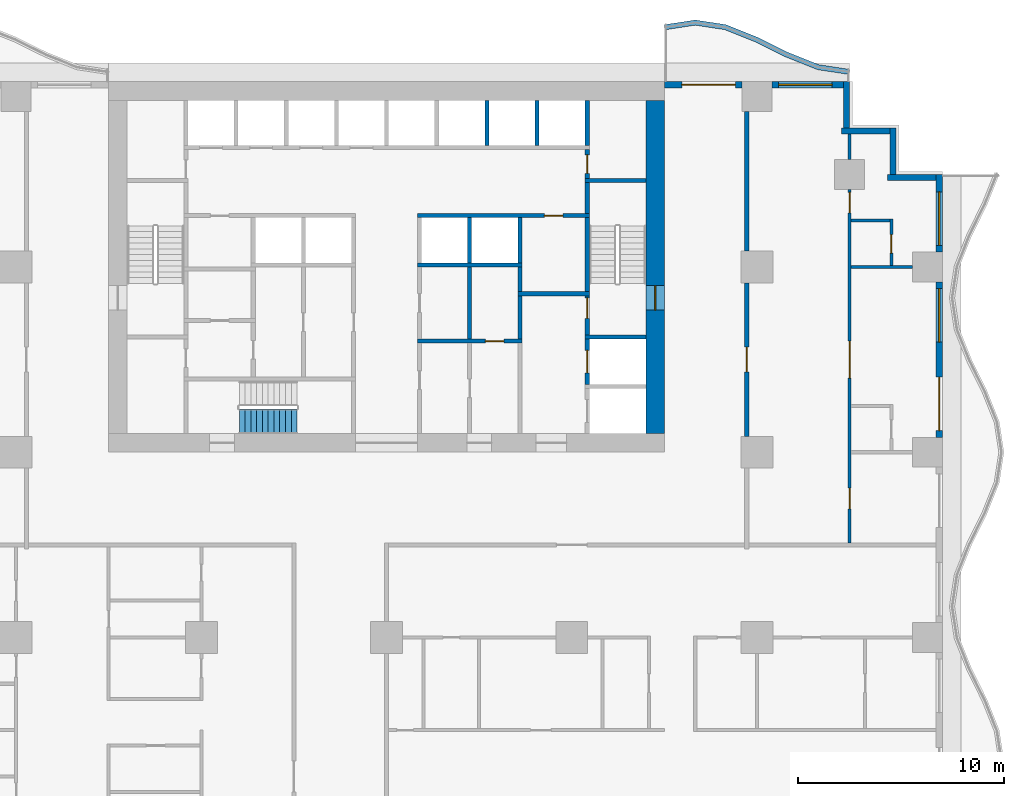
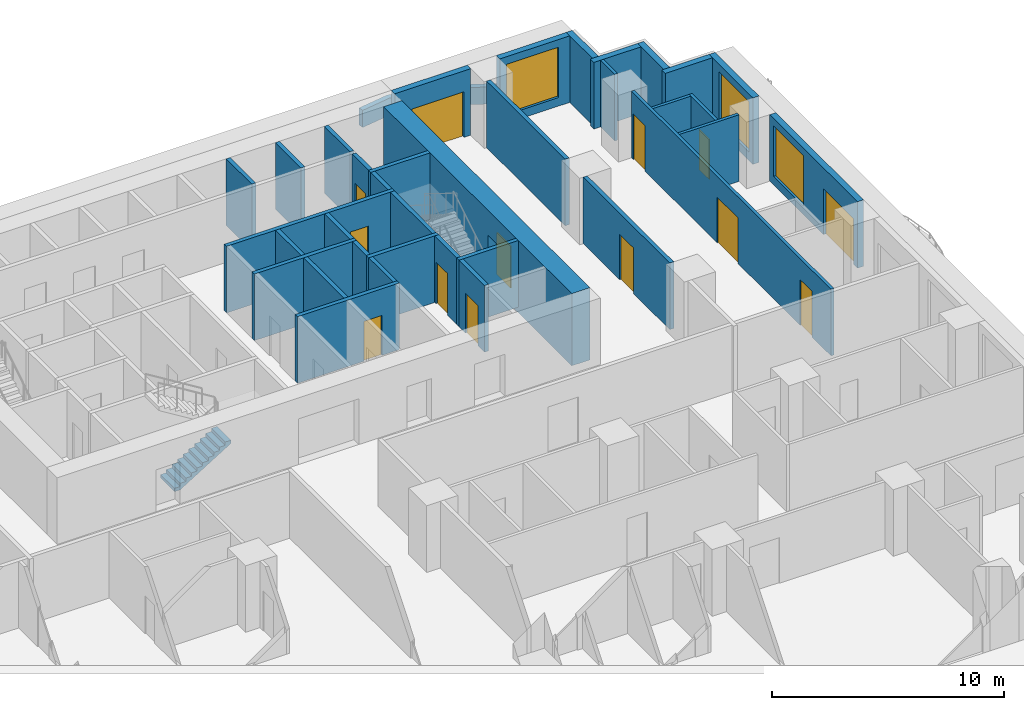
# One storey, part 6 of 14: 36 walls, 13 doors, 3 windows, 1 stair flight, 16 openings, 1 element without a shape of its own.
"""IFC4 building model written with IfcOpenShell, lengths in metres."""

from ifc_helpers import new_model, si_unit, direction, frame, frame_2d, origin, place, context, subcontext, project, spatial, polyline, rectangle, outline, extrude, material, layer, layer_set, type_object, element, fill, aggregate, save


model = new_model("IFC4")

# Units and contexts
model_context = context("Model", 3, precision=1e-05, world=origin(), true_north=direction((0.0, 1.0)))
body_context = subcontext(model_context, "Body", "Model", "MODEL_VIEW")
ifc_project = project(units=[si_unit("LENGTHUNIT", "METRE"), si_unit("AREAUNIT", "SQUARE_METRE"), si_unit("VOLUMEUNIT", "CUBIC_METRE"), si_unit("PLANEANGLEUNIT", "RADIAN"), si_unit("MASSUNIT", "GRAM", prefix="KILO")], contexts=[model_context])

# Site, building, storey
site_placement = place(None, origin())
site = spatial("IfcSite", under=ifc_project, at=site_placement, CompositionType="ELEMENT")
building_placement = place(site_placement, origin())
building = spatial("IfcBuilding", under=site, at=building_placement, Name="Orbiselva Terraces", CompositionType="ELEMENT")
storey_placement = place(building_placement, frame((0.0, 0.0, 37.8)))
storey = spatial("IfcBuildingStorey", under=building, at=storey_placement, Name="L09", CompositionType="ELEMENT", Elevation=37.8)

# Wall, opening, door
ifc_material_1 = material(Name="Concrete C80/95", Category="concrete")
ifc_layer_1 = layer(ifc_material_1, 0.9)
ifc_layer_set_1 = layer_set([ifc_layer_1], Name="Concrete C80/95")
wall_type_1 = type_object("IfcWallType", Name="CORE WALL 900", PredefinedType="SHEAR", material=ifc_layer_set_1)
wall_1_placement = place(storey_placement, frame((13.05, 5.4, -0.3), z_axis=(0.0, 0.0, 1.0), x_axis=(0.0, 1.0, 0.0)))
wall_1 = element("IfcWall", 1, at=wall_1_placement, inside=storey, type_object=wall_type_1, Name="Core wall L09 east", PredefinedType="SHEAR", context=body_context, shape_type="SweptSolid", body=[
    extrude(rectangle(XDim=16.2, YDim=0.9, at=frame_2d((8.1, 0.0))), origin(), (0.0, 0.0, 1.0), 3.8),
])
opening_1_placement = place(wall_1_placement, frame((6.0, 0.0, 0.3)))
opening_1 = element("IfcOpeningElement", 2, at=opening_1_placement, cuts=wall_1, Name="Opening DS1200", PredefinedType="OPENING", context=body_context, shape_type="SweptSolid", body=[
    extrude(rectangle(XDim=1.2, YDim=2.2, at=frame_2d((0.6, 1.1))), frame((0.0, 0.46, 0.0), z_axis=(0.0, -1.0, 0.0), x_axis=(1.0, 0.0, 0.0)), (0.0, 0.0, 1.0), 0.92),
])
ifc_material_2 = material(Name="Steel fire door", Category="steel")
door_type_1 = type_object("IfcDoorType", Name="STAIR DOOR 1200", OperationType="NOTDEFINED", PredefinedType="DOOR", material=ifc_material_2)
door_1_placement = place(opening_1_placement, frame((1.2, 0.0, 0.0), z_axis=(0.0, 0.0, 1.0), x_axis=(-1.0, 0.0, 0.0)))
door_1 = element("IfcDoor", 3, at=door_1_placement, inside=storey, type_object=door_type_1, Name="L09 EXIT STAIR S2 door", OperationType="SINGLE_SWING_LEFT", OverallHeight=2.2, OverallWidth=1.2, PredefinedType="DOOR", context=body_context, shape_type="SweptSolid", body=[
    extrude(rectangle(XDim=1.2, YDim=2.2, at=frame_2d((0.6, 1.1))), frame((0.0, 0.025, 0.0), z_axis=(0.0, -1.0, 0.0), x_axis=(1.0, 0.0, 0.0)), (0.0, 0.0, 1.0), 0.05),
])
fill(opening_1, door_1)

# Walls
ifc_material_3 = material(Name="Masonry blockwork", Category="masonry")
ifc_layer_2 = layer(ifc_material_3, 0.2)
ifc_layer_set_2 = layer_set([ifc_layer_2], Name="Masonry blockwork")
wall_type_2 = type_object("IfcWallType", Name="CORE-WALL-PARTITION-200", PredefinedType="PARTITIONING", material=ifc_layer_set_2)
wall_2_placement = place(storey_placement, frame((4.0375, 10.0, 0.0), z_axis=(0.0, 0.0, 1.0), x_axis=(0.0, 1.0, 0.0)))
element("IfcWall", 4, at=wall_2_placement, inside=storey, type_object=wall_type_2, Name="L09 core wall 37", PredefinedType="PARTITIONING", context=body_context, shape_type="SweptSolid", body=[
    extrude(rectangle(XDim=3.5, YDim=0.2, at=frame_2d((1.75, 0.0))), origin(), (0.0, 0.0, 1.0), 3.5),
])
wall_3_placement = place(storey_placement, frame((6.475, 12.3, 0.0), z_axis=(0.0, 0.0, 1.0), x_axis=(0.0, 1.0, 0.0)))
element("IfcWall", 5, at=wall_3_placement, inside=storey, type_object=wall_type_2, Name="L09 core wall 43", PredefinedType="PARTITIONING", context=body_context, shape_type="SweptSolid", body=[
    extrude(rectangle(XDim=1.2, YDim=0.2, at=frame_2d((0.6, 0.0))), origin(), (0.0, 0.0, 1.0), 3.5),
])

# Wall, opening, door
wall_4_placement = place(storey_placement, frame((9.75, 19.2, 0.0), z_axis=(0.0, 0.0, 1.0), x_axis=(0.0, -1.0, 0.0)))
wall_4 = element("IfcWall", 6, at=wall_4_placement, inside=storey, type_object=wall_type_2, Name="L09 core wall 54", PredefinedType="PARTITIONING", context=body_context, shape_type="SweptSolid", body=[
    extrude(rectangle(XDim=1.4, YDim=0.2, at=frame_2d((0.7, 0.0))), origin(), (0.0, 0.0, 1.0), 3.5),
])
opening_2_placement = place(wall_4_placement, frame((0.25, 0.0, 0.0)))
opening_2 = element("IfcOpeningElement", 7, at=opening_2_placement, cuts=wall_4, Name="Opening DR900", PredefinedType="OPENING", context=body_context, shape_type="SweptSolid", body=[
    extrude(rectangle(XDim=0.9, YDim=2.1, at=frame_2d((0.45, 1.05))), frame((0.0, 0.11, 0.0), z_axis=(0.0, -1.0, 0.0), x_axis=(1.0, 0.0, 0.0)), (0.0, 0.0, 1.0), 0.22),
])
door_type_2 = type_object("IfcDoorType", Name="ROOM DOOR 900", OperationType="NOTDEFINED", PredefinedType="DOOR", material=ifc_material_2)
door_2_placement = place(opening_2_placement, origin())
door_2 = element("IfcDoor", 8, at=door_2_placement, inside=storey, type_object=door_type_2, Name="L09 COMMS RISER ROOM door", OperationType="SINGLE_SWING_RIGHT", OverallHeight=2.1, OverallWidth=0.9, PredefinedType="DOOR", context=body_context, shape_type="SweptSolid", body=[
    extrude(rectangle(XDim=0.9, YDim=2.1, at=frame_2d((0.45, 1.05))), frame((0.0, 0.025, 0.0), z_axis=(0.0, -1.0, 0.0), x_axis=(1.0, 0.0, 0.0)), (0.0, 0.0, 1.0), 0.05),
])
fill(opening_2, door_2)

# Walls
ifc_material_4 = material(Name="Concrete C40/50", Category="concrete")
ifc_layer_3 = layer(ifc_material_4, 0.2)
ifc_layer_set_3 = layer_set([ifc_layer_3], Name="Concrete C40/50")
wall_type_3 = type_object("IfcWallType", Name="CORE-WALL-SHAFT-200", PredefinedType="PARTITIONING", material=ifc_layer_set_3)
for number, where, z_axis, x_axis, name in (
    (9, (4.0375, 13.7, 0.0), (0.0, 0.0, 1.0), (0.0, 1.0, 0.0), "L09 core wall 38"),
    (10, (4.875, 19.4, 0.0), (0.0, 0.0, 1.0), (0.0, 1.0, 0.0), "L09 core wall 39"),
    (11, (6.475, 13.7, 0.0), (0.0, 0.0, 1.0), (0.0, 1.0, 0.0), "L09 core wall 44"),
    (12, (7.3125, 19.4, 0.0), (0.0, 0.0, 1.0), (0.0, 1.0, 0.0), "L09 core wall 45"),
    (13, (9.75, 19.4, 0.0), (0.0, 0.0, 1.0), (0.0, 1.0, 0.0), "L09 core wall 55"),
):
    element("IfcWall", number, at=place(storey_placement, frame(where, z_axis=z_axis, x_axis=x_axis)), inside=storey, type_object=wall_type_3, Name=name, PredefinedType="PARTITIONING", context=body_context, shape_type="SweptSolid", body=[
        extrude(rectangle(XDim=2.2, YDim=0.2, at=frame_2d((1.1, 0.0))), origin(), (0.0, 0.0, 1.0), 3.5),
    ])

# Wall, opening, door
ifc_material_5 = material(Name="Concrete C60/75", Category="concrete")
ifc_layer_4 = layer(ifc_material_5, 0.2)
ifc_layer_set_4 = layer_set([ifc_layer_4], Name="Concrete C60/75")
wall_type_4 = type_object("IfcWallType", Name="CORE-WALL-SHEAR-200", PredefinedType="SHEAR", material=ifc_layer_set_4)
wall_5_placement = place(storey_placement, frame((1.5, 9.9, 0.0), z_axis=(0.0, 0.0, 1.0), x_axis=(1.0, 0.0, 0.0)))
wall_5 = element("IfcWall", 14, at=wall_5_placement, inside=storey, type_object=wall_type_4, Name="L09 core wall 30", PredefinedType="SHEAR", context=body_context, shape_type="SweptSolid", body=[
    extrude(rectangle(XDim=5.075, YDim=0.2, at=frame_2d((2.5375, 0.0))), origin(), (0.0, 0.0, 1.0), 3.5),
])
opening_3_placement = place(wall_5_placement, frame((3.3062, 0.0, 0.0)))
opening_3 = element("IfcOpeningElement", 15, at=opening_3_placement, cuts=wall_5, Name="Opening DR900", PredefinedType="OPENING", context=body_context, shape_type="SweptSolid", body=[
    extrude(rectangle(XDim=0.9, YDim=2.1, at=frame_2d((0.45, 1.05))), frame((0.0, 0.11, 0.0), z_axis=(0.0, -1.0, 0.0), x_axis=(1.0, 0.0, 0.0)), (0.0, 0.0, 1.0), 0.22),
])
door_3_placement = place(opening_3_placement, origin())
door_3 = element("IfcDoor", 16, at=door_3_placement, inside=storey, type_object=door_type_2, Name="L09 LINEN STORE door", OperationType="SINGLE_SWING_RIGHT", OverallHeight=2.1, OverallWidth=0.9, PredefinedType="DOOR", context=body_context, shape_type="SweptSolid", body=[
    extrude(rectangle(XDim=0.9, YDim=2.1, at=frame_2d((0.45, 1.05))), frame((0.0, 0.025, 0.0), z_axis=(0.0, -1.0, 0.0), x_axis=(1.0, 0.0, 0.0)), (0.0, 0.0, 1.0), 0.05),
])
fill(opening_3, door_3)

# Wall
wall_6_placement = place(storey_placement, frame((1.5, 13.6, 0.0), z_axis=(0.0, 0.0, 1.0), x_axis=(1.0, 0.0, 0.0)))
element("IfcWall", 17, at=wall_6_placement, inside=storey, type_object=wall_type_4, Name="L09 core wall 32", PredefinedType="SHEAR", context=body_context, shape_type="SweptSolid", body=[
    extrude(rectangle(XDim=5.075, YDim=0.2, at=frame_2d((2.5375, 0.0))), origin(), (0.0, 0.0, 1.0), 3.5),
])

# Wall, opening, door
wall_7_placement = place(storey_placement, frame((9.85, 16.0, 0.0), z_axis=(0.0, 0.0, 1.0), x_axis=(-1.0, 0.0, 0.0)))
wall_7 = element("IfcWall", 18, at=wall_7_placement, inside=storey, type_object=wall_type_4, Name="L09 core wall 34", PredefinedType="SHEAR", context=body_context, shape_type="SweptSolid", body=[
    extrude(rectangle(XDim=8.35, YDim=0.2, at=frame_2d((4.175, 0.0))), origin(), (0.0, 0.0, 1.0), 3.5),
])
opening_4_placement = place(wall_7_placement, frame((1.2875, 0.0, 0.0)))
opening_4 = element("IfcOpeningElement", 19, at=opening_4_placement, cuts=wall_7, Name="Opening DR900", PredefinedType="OPENING", context=body_context, shape_type="SweptSolid", body=[
    extrude(rectangle(XDim=0.9, YDim=2.1, at=frame_2d((0.45, 1.05))), frame((0.0, 0.11, 0.0), z_axis=(0.0, -1.0, 0.0), x_axis=(1.0, 0.0, 0.0)), (0.0, 0.0, 1.0), 0.22),
])
door_4_placement = place(opening_4_placement, origin())
door_4 = element("IfcDoor", 20, at=door_4_placement, inside=storey, type_object=door_type_2, Name="L09 PIPE RISER ROOM door", OperationType="SINGLE_SWING_LEFT", OverallHeight=2.1, OverallWidth=0.9, PredefinedType="DOOR", context=body_context, shape_type="SweptSolid", body=[
    extrude(rectangle(XDim=0.9, YDim=2.1, at=frame_2d((0.45, 1.05))), frame((0.0, 0.025, 0.0), z_axis=(0.0, -1.0, 0.0), x_axis=(1.0, 0.0, 0.0)), (0.0, 0.0, 1.0), 0.05),
])
fill(opening_4, door_4)

# Walls
wall_8_placement = place(storey_placement, frame((6.475, 10.0, 0.0), z_axis=(0.0, 0.0, 1.0), x_axis=(0.0, 1.0, 0.0)))
element("IfcWall", 21, at=wall_8_placement, inside=storey, type_object=wall_type_4, Name="L09 core wall 41", PredefinedType="SHEAR", context=body_context, shape_type="SweptSolid", body=[
    extrude(rectangle(XDim=2.1, YDim=0.2, at=frame_2d((1.05, 0.0))), origin(), (0.0, 0.0, 1.0), 3.5),
])
wall_9_placement = place(storey_placement, frame((6.375, 12.2, 0.0), z_axis=(0.0, 0.0, 1.0), x_axis=(1.0, 0.0, 0.0)))
element("IfcWall", 22, at=wall_9_placement, inside=storey, type_object=wall_type_4, Name="L09 core wall 42", PredefinedType="SHEAR", context=body_context, shape_type="SweptSolid", body=[
    extrude(rectangle(XDim=3.475, YDim=0.2, at=frame_2d((1.7375, 0.0))), origin(), (0.0, 0.0, 1.0), 3.5),
])

# Wall, opening, door
wall_10_placement = place(storey_placement, frame((9.75, 7.8, 0.0), z_axis=(0.0, 0.0, 1.0), x_axis=(0.0, 1.0, 0.0)))
wall_10 = element("IfcWall", 23, at=wall_10_placement, inside=storey, type_object=wall_type_4, Name="L09 core wall 48", PredefinedType="SHEAR", context=body_context, shape_type="SweptSolid", body=[
    extrude(rectangle(XDim=2.2, YDim=0.2, at=frame_2d((1.1, 0.0))), origin(), (0.0, 0.0, 1.0), 3.5),
])
opening_5_placement = place(wall_10_placement, frame((0.55, 0.0, 0.0)))
opening_5 = element("IfcOpeningElement", 24, at=opening_5_placement, cuts=wall_10, Name="Opening LD-FF2", PredefinedType="OPENING", context=body_context, shape_type="SweptSolid", body=[
    extrude(rectangle(XDim=1.1, YDim=2.1, at=frame_2d((0.55, 1.05))), frame((0.0, 0.11, 0.0), z_axis=(0.0, -1.0, 0.0), x_axis=(1.0, 0.0, 0.0)), (0.0, 0.0, 1.0), 0.22),
])
ifc_material_6 = material(Name="Stainless steel landing door", Category="steel")
door_type_3 = type_object("IfcDoorType", Name="LANDING DOOR 1100", OperationType="SLIDING_TO_LEFT", PredefinedType="DOOR", material=ifc_material_6)
door_5_placement = place(opening_5_placement, origin())
door_5 = element("IfcDoor", 25, at=door_5_placement, inside=storey, type_object=door_type_3, Name="L09 landing door FF2", OperationType="SLIDING_TO_RIGHT", OverallHeight=2.1, OverallWidth=1.1, PredefinedType="DOOR", context=body_context, shape_type="SweptSolid", body=[
    extrude(rectangle(XDim=1.1, YDim=2.1, at=frame_2d((0.55, 1.05))), frame((0.0, 0.025, 0.0), z_axis=(0.0, -1.0, 0.0), x_axis=(1.0, 0.0, 0.0)), (0.0, 0.0, 1.0), 0.05),
])
fill(opening_5, door_5)

# Wall
wall_11_placement = place(storey_placement, frame((9.65, 10.1, 0.0), z_axis=(0.0, 0.0, 1.0), x_axis=(1.0, 0.0, 0.0)))
element("IfcWall", 26, at=wall_11_placement, inside=storey, type_object=wall_type_4, Name="L09 core wall 49", PredefinedType="SHEAR", context=body_context, shape_type="SweptSolid", body=[
    extrude(rectangle(XDim=2.95, YDim=0.2, at=frame_2d((1.475, 0.0))), origin(), (0.0, 0.0, 1.0), 3.5),
])

# Wall, opening, door
wall_12_placement = place(storey_placement, frame((9.75, 12.1, 0.0), z_axis=(0.0, 0.0, 1.0), x_axis=(0.0, -1.0, 0.0)))
wall_12 = element("IfcWall", 27, at=wall_12_placement, inside=storey, type_object=wall_type_4, Name="L09 core wall 50", PredefinedType="SHEAR", context=body_context, shape_type="SweptSolid", body=[
    extrude(rectangle(XDim=1.9, YDim=0.2, at=frame_2d((0.95, 0.0))), origin(), (0.0, 0.0, 1.0), 3.5),
])
opening_6_placement = place(wall_12_placement, frame((0.1, 0.0, 0.0)))
opening_6 = element("IfcOpeningElement", 28, at=opening_6_placement, cuts=wall_12, Name="Opening DS1000", PredefinedType="OPENING", context=body_context, shape_type="SweptSolid", body=[
    extrude(rectangle(XDim=1.0, YDim=2.2, at=frame_2d((0.5, 1.1))), frame((0.0, 0.11, 0.0), z_axis=(0.0, -1.0, 0.0), x_axis=(1.0, 0.0, 0.0)), (0.0, 0.0, 1.0), 0.22),
])
door_type_4 = type_object("IfcDoorType", Name="STAIR DOOR 1000", OperationType="NOTDEFINED", PredefinedType="DOOR", material=ifc_material_2)
door_6_placement = place(opening_6_placement, origin())
door_6 = element("IfcDoor", 29, at=door_6_placement, inside=storey, type_object=door_type_4, Name="L09 FIRE-FIGHTING LOBBY TO EXIT STAIR S2 door", OperationType="SINGLE_SWING_LEFT", OverallHeight=2.2, OverallWidth=1.0, PredefinedType="DOOR", context=body_context, shape_type="SweptSolid", body=[
    extrude(rectangle(XDim=1.0, YDim=2.2, at=frame_2d((0.5, 1.1))), frame((0.0, 0.025, 0.0), z_axis=(0.0, -1.0, 0.0), x_axis=(1.0, 0.0, 0.0)), (0.0, 0.0, 1.0), 0.05),
])
fill(opening_6, door_6)

# Walls
wall_13_placement = place(storey_placement, frame((9.75, 12.3, 0.0), z_axis=(0.0, 0.0, 1.0), x_axis=(0.0, 1.0, 0.0)))
element("IfcWall", 30, at=wall_13_placement, inside=storey, type_object=wall_type_4, Name="L09 core wall 51", PredefinedType="SHEAR", context=body_context, shape_type="SweptSolid", body=[
    extrude(rectangle(XDim=3.6, YDim=0.2, at=frame_2d((1.8, 0.0))), origin(), (0.0, 0.0, 1.0), 3.5),
])
wall_14_placement = place(storey_placement, frame((9.75, 16.1, 0.0), z_axis=(0.0, 0.0, 1.0), x_axis=(0.0, 1.0, 0.0)))
element("IfcWall", 31, at=wall_14_placement, inside=storey, type_object=wall_type_4, Name="L09 core wall 52", PredefinedType="SHEAR", context=body_context, shape_type="SweptSolid", body=[
    extrude(rectangle(XDim=1.5, YDim=0.2, at=frame_2d((0.75, 0.0))), origin(), (0.0, 0.0, 1.0), 3.5),
])
wall_15_placement = place(storey_placement, frame((9.65, 17.7, 0.0), z_axis=(0.0, 0.0, 1.0), x_axis=(1.0, 0.0, 0.0)))
element("IfcWall", 32, at=wall_15_placement, inside=storey, type_object=wall_type_4, Name="L09 core wall 53", PredefinedType="SHEAR", context=body_context, shape_type="SweptSolid", body=[
    extrude(rectangle(XDim=2.95, YDim=0.2, at=frame_2d((1.475, 0.0))), origin(), (0.0, 0.0, 1.0), 3.5),
])
ifc_layer_5 = layer(ifc_material_4, 0.25)
ifc_layer_set_5 = layer_set([ifc_layer_5], Name="Concrete C40/50")
wall_type_5 = type_object("IfcWallType", Name="ENV-PLANTER-250x900", PredefinedType="USERDEFINED", material=ifc_layer_set_5)
wall_16_placement = place(storey_placement, origin())
element("IfcWall", 33, at=wall_16_placement, inside=storey, type_object=wall_type_5, Name="Balcony planter L09 NE", ObjectType="PLANTER", PredefinedType="USERDEFINED", context=body_context, shape_type="SweptSolid", body=[
    extrude(outline(polyline([(22.5, 23.1), (21.0, 23.32918), (19.5, 23.92918), (18.0, 24.67082), (16.5, 25.27082), (15.0, 25.5), (13.5, 25.27082), (13.537758, 25.023688), (15.0, 25.247099), (16.433834, 25.028028), (17.898017, 24.442355), (19.398017, 23.700715), (20.933834, 23.086388), (22.462242, 22.852868), (22.5, 23.1)])), origin(), (0.0, 0.0, 1.0), 0.9),
])

# Wall, openings, door, window
ifc_material_7 = material(Name="Terracotta cladding on masonry backing", Category="masonry")
ifc_layer_6 = layer(ifc_material_7, 0.3)
ifc_layer_set_6 = layer_set([ifc_layer_6], Name="Terracotta cladding on masonry backing")
wall_type_6 = type_object("IfcWallType", Name="ENV-WALL-TERRACOTTA-300", PredefinedType="SOLIDWALL", material=ifc_layer_set_6)
wall_17_placement = place(storey_placement, frame((26.85, 12.775, 0.0), z_axis=(0.0, 0.0, 1.0), x_axis=(0.0, -1.0, 0.0)))
wall_17 = element("IfcWall", 34, at=wall_17_placement, inside=storey, type_object=wall_type_6, Name="Facade wall L09 E", PredefinedType="SOLIDWALL", context=body_context, shape_type="SweptSolid", body=[
    extrude(rectangle(XDim=7.55, YDim=0.3, at=frame_2d((3.775, 0.0))), origin(), (0.0, 0.0, 1.0), 3.5),
])
opening_7_placement = place(wall_17_placement, frame((4.625, 0.0, 0.0)))
opening_7 = element("IfcOpeningElement", 35, at=opening_7_placement, cuts=wall_17, Name="Opening Z1-C-E07", PredefinedType="OPENING", context=body_context, shape_type="SweptSolid", body=[
    extrude(rectangle(XDim=2.6, YDim=2.4, at=frame_2d((1.3, 1.2))), frame((0.0, 0.16, 0.0), z_axis=(0.0, -1.0, 0.0), x_axis=(1.0, 0.0, 0.0)), (0.0, 0.0, 1.0), 0.32),
])
opening_8_placement = place(wall_17_placement, frame((0.325, 0.0, 0.45)))
opening_8 = element("IfcOpeningElement", 36, at=opening_8_placement, cuts=wall_17, Name="Opening WN1", PredefinedType="OPENING", context=body_context, shape_type="SweptSolid", body=[
    extrude(rectangle(XDim=2.6, YDim=2.65, at=frame_2d((1.3, 1.325))), frame((0.0, 0.16, 0.0), z_axis=(0.0, -1.0, 0.0), x_axis=(1.0, 0.0, 0.0)), (0.0, 0.0, 1.0), 0.32),
])
ifc_material_8 = material(Name="Clear low-e glazing in aluminium frame", Category="aluminium")
door_type_5 = type_object("IfcDoorType", Name="BALCONY DOOR 2600 X 2400", OperationType="DOUBLE_DOOR_SLIDING", PredefinedType="DOOR", material=ifc_material_8)
door_7_placement = place(opening_7_placement, origin())
door_7 = element("IfcDoor", 37, at=door_7_placement, inside=storey, type_object=door_type_5, Name="Z1-C-E07", OperationType="SINGLE_SWING_LEFT", OverallHeight=2.4, OverallWidth=2.6, PredefinedType="DOOR", context=body_context, shape_type="SweptSolid", body=[
    extrude(rectangle(XDim=2.6, YDim=2.4, at=frame_2d((1.3, 1.2))), frame((0.0, 0.025, 0.0), z_axis=(0.0, -1.0, 0.0), x_axis=(1.0, 0.0, 0.0)), (0.0, 0.0, 1.0), 0.05),
])
fill(opening_7, door_7)
window_type = type_object("IfcWindowType", Name="WINDOW 2600 X 2650 S450", PartitioningType="TRIPLE_PANEL_VERTICAL", PredefinedType="WINDOW", material=ifc_material_8)
window_1_placement = place(opening_8_placement, origin())
window_1 = element("IfcWindow", 38, at=window_1_placement, inside=storey, type_object=window_type, Name="Window L09 E", OverallHeight=2.65, OverallWidth=2.6, PartitioningType="SINGLE_PANEL", PredefinedType="WINDOW", context=body_context, shape_type="SweptSolid", body=[
    extrude(rectangle(XDim=2.6, YDim=2.65, at=frame_2d((1.3, 1.325))), frame((0.0, 0.03, 0.0), z_axis=(0.0, -1.0, 0.0), x_axis=(1.0, 0.0, 0.0)), (0.0, 0.0, 1.0), 0.06),
])
fill(opening_8, window_1)

# Wall, opening, window
wall_18_placement = place(storey_placement, frame((26.85, 18.0, 0.0), z_axis=(0.0, 0.0, 1.0), x_axis=(0.0, -1.0, 0.0)))
wall_18 = element("IfcWall", 39, at=wall_18_placement, inside=storey, type_object=wall_type_6, Name="Facade wall L09 E", PredefinedType="SOLIDWALL", context=body_context, shape_type="SweptSolid", body=[
    extrude(rectangle(XDim=3.775, YDim=0.3, at=frame_2d((1.8875, 0.0))), origin(), (0.0, 0.0, 1.0), 3.5),
])
opening_9_placement = place(wall_18_placement, frame((0.85, 0.0, 0.45)))
opening_9 = element("IfcOpeningElement", 40, at=opening_9_placement, cuts=wall_18, Name="Opening WN1", PredefinedType="OPENING", context=body_context, shape_type="SweptSolid", body=[
    extrude(rectangle(XDim=2.6, YDim=2.65, at=frame_2d((1.3, 1.325))), frame((0.0, 0.16, 0.0), z_axis=(0.0, -1.0, 0.0), x_axis=(1.0, 0.0, 0.0)), (0.0, 0.0, 1.0), 0.32),
])
window_2_placement = place(opening_9_placement, origin())
window_2 = element("IfcWindow", 41, at=window_2_placement, inside=storey, type_object=window_type, Name="Window L09 E", OverallHeight=2.65, OverallWidth=2.6, PartitioningType="SINGLE_PANEL", PredefinedType="WINDOW", context=body_context, shape_type="SweptSolid", body=[
    extrude(rectangle(XDim=2.6, YDim=2.65, at=frame_2d((1.3, 1.325))), frame((0.0, 0.03, 0.0), z_axis=(0.0, -1.0, 0.0), x_axis=(1.0, 0.0, 0.0)), (0.0, 0.0, 1.0), 0.06),
])
fill(opening_9, window_2)

# Walls
wall_19_placement = place(storey_placement, frame((24.35, 17.85, 0.0), z_axis=(0.0, 0.0, 1.0), x_axis=(1.0, 0.0, 0.0)))
element("IfcWall", 42, at=wall_19_placement, inside=storey, type_object=wall_type_6, Name="Facade wall L09 STEP", PredefinedType="SOLIDWALL", context=body_context, shape_type="SweptSolid", body=[
    extrude(rectangle(XDim=2.35, YDim=0.3, at=frame_2d((1.175, 0.0))), origin(), (0.0, 0.0, 1.0), 3.5),
])
wall_20_placement = place(storey_placement, frame((24.6, 20.25, 0.0), z_axis=(0.0, 0.0, 1.0), x_axis=(0.0, -1.0, 0.0)))
element("IfcWall", 43, at=wall_20_placement, inside=storey, type_object=wall_type_6, Name="Facade wall L09 STEP", PredefinedType="SOLIDWALL", context=body_context, shape_type="SweptSolid", body=[
    extrude(rectangle(XDim=2.25, YDim=0.3, at=frame_2d((1.125, 0.0))), origin(), (0.0, 0.0, 1.0), 3.5),
])
wall_21_placement = place(storey_placement, frame((22.1, 20.1, 0.0), z_axis=(0.0, 0.0, 1.0), x_axis=(1.0, 0.0, 0.0)))
element("IfcWall", 44, at=wall_21_placement, inside=storey, type_object=wall_type_6, Name="Facade wall L09 STEP", PredefinedType="SOLIDWALL", context=body_context, shape_type="SweptSolid", body=[
    extrude(rectangle(XDim=2.35, YDim=0.3, at=frame_2d((1.175, 0.0))), origin(), (0.0, 0.0, 1.0), 3.5),
])
wall_22_placement = place(storey_placement, frame((22.35, 22.5, 0.0), z_axis=(0.0, 0.0, 1.0), x_axis=(0.0, -1.0, 0.0)))
element("IfcWall", 45, at=wall_22_placement, inside=storey, type_object=wall_type_6, Name="Facade wall L09 STEP", PredefinedType="SOLIDWALL", context=body_context, shape_type="SweptSolid", body=[
    extrude(rectangle(XDim=2.25, YDim=0.3, at=frame_2d((1.125, 0.0))), origin(), (0.0, 0.0, 1.0), 3.5),
])

# Wall, opening, window
wall_23_placement = place(storey_placement, frame((18.725, 22.35, 0.0), z_axis=(0.0, 0.0, 1.0), x_axis=(1.0, 0.0, 0.0)))
wall_23 = element("IfcWall", 46, at=wall_23_placement, inside=storey, type_object=wall_type_6, Name="Facade wall L09 NE", PredefinedType="SOLIDWALL", context=body_context, shape_type="SweptSolid", body=[
    extrude(rectangle(XDim=3.475, YDim=0.3, at=frame_2d((1.7375, 0.0))), origin(), (0.0, 0.0, 1.0), 3.5),
])
opening_10_placement = place(wall_23_placement, frame((0.325, 0.0, 0.45)))
opening_10 = element("IfcOpeningElement", 47, at=opening_10_placement, cuts=wall_23, Name="Opening WN1", PredefinedType="OPENING", context=body_context, shape_type="SweptSolid", body=[
    extrude(rectangle(XDim=2.6, YDim=2.65, at=frame_2d((1.3, 1.325))), frame((0.0, 0.16, 0.0), z_axis=(0.0, -1.0, 0.0), x_axis=(1.0, 0.0, 0.0)), (0.0, 0.0, 1.0), 0.32),
])
window_3_placement = place(opening_10_placement, origin())
window_3 = element("IfcWindow", 48, at=window_3_placement, inside=storey, type_object=window_type, Name="Window L09 NE", OverallHeight=2.65, OverallWidth=2.6, PartitioningType="SINGLE_PANEL", PredefinedType="WINDOW", context=body_context, shape_type="SweptSolid", body=[
    extrude(rectangle(XDim=2.6, YDim=2.65, at=frame_2d((1.3, 1.325))), frame((0.0, 0.03, 0.0), z_axis=(0.0, -1.0, 0.0), x_axis=(1.0, 0.0, 0.0)), (0.0, 0.0, 1.0), 0.06),
])
fill(opening_10, window_3)

# Wall, opening, door
wall_24_placement = place(storey_placement, frame((13.5, 22.35, 0.0), z_axis=(0.0, 0.0, 1.0), x_axis=(1.0, 0.0, 0.0)))
wall_24 = element("IfcWall", 49, at=wall_24_placement, inside=storey, type_object=wall_type_6, Name="Facade wall L09 NE", PredefinedType="SOLIDWALL", context=body_context, shape_type="SweptSolid", body=[
    extrude(rectangle(XDim=3.775, YDim=0.3, at=frame_2d((1.8875, 0.0))), origin(), (0.0, 0.0, 1.0), 3.5),
])
opening_11_placement = place(wall_24_placement, frame((0.85, 0.0, 0.0)))
opening_11 = element("IfcOpeningElement", 50, at=opening_11_placement, cuts=wall_24, Name="Opening Z1-C-E08", PredefinedType="OPENING", context=body_context, shape_type="SweptSolid", body=[
    extrude(rectangle(XDim=2.6, YDim=2.4, at=frame_2d((1.3, 1.2))), frame((0.0, 0.16, 0.0), z_axis=(0.0, -1.0, 0.0), x_axis=(1.0, 0.0, 0.0)), (0.0, 0.0, 1.0), 0.32),
])
door_8_placement = place(opening_11_placement, origin())
door_8 = element("IfcDoor", 51, at=door_8_placement, inside=storey, type_object=door_type_5, Name="Z1-C-E08", OperationType="SINGLE_SWING_LEFT", OverallHeight=2.4, OverallWidth=2.6, PredefinedType="DOOR", context=body_context, shape_type="SweptSolid", body=[
    extrude(rectangle(XDim=2.6, YDim=2.4, at=frame_2d((1.3, 1.2))), frame((0.0, 0.025, 0.0), z_axis=(0.0, -1.0, 0.0), x_axis=(1.0, 0.0, 0.0)), (0.0, 0.0, 1.0), 0.05),
])
fill(opening_11, door_8)

ifc_material_9 = material(Name="Plasterboard on steel stud partition", Category="steel")
ifc_layer_7 = layer(ifc_material_9, 0.2)
ifc_layer_set_7 = layer_set([ifc_layer_7], Name="Plasterboard on steel stud partition")
wall_type_7 = type_object("IfcWallType", Name="UNIT-ENTRANCE-WALL-200", PredefinedType="PARTITIONING", material=ifc_layer_set_7)
wall_25_placement = place(storey_placement, frame((17.5, 12.725, 0.0), z_axis=(0.0, 0.0, 1.0), x_axis=(0.0, -1.0, 0.0)))
wall_25 = element("IfcWall", 52, at=wall_25_placement, inside=storey, type_object=wall_type_7, Name="PARTITION L09-071", PredefinedType="PARTITIONING", context=body_context, shape_type="SweptSolid", body=[
    extrude(rectangle(XDim=7.45, YDim=0.2, at=frame_2d((3.725, 0.0))), origin(), (0.0, 0.0, 1.0), 3.5),
])
opening_12_placement = place(wall_25_placement, frame((3.125, 0.0, 0.0)))
opening_12 = element("IfcOpeningElement", 53, at=opening_12_placement, cuts=wall_25, Name="Opening Z1-C-07", PredefinedType="OPENING", context=body_context, shape_type="SweptSolid", body=[
    extrude(rectangle(XDim=1.2, YDim=2.4, at=frame_2d((0.6, 1.2))), frame((0.0, 0.11, 0.0), z_axis=(0.0, -1.0, 0.0), x_axis=(1.0, 0.0, 0.0)), (0.0, 0.0, 1.0), 0.22),
])
ifc_material_10 = material(Name="Painted timber door leaf", Category="wood")
door_type_6 = type_object("IfcDoorType", Name="ENTRANCE DOOR 1200", OperationType="NOTDEFINED", PredefinedType="DOOR", material=ifc_material_10)
door_9_placement = place(opening_12_placement, origin())
door_9 = element("IfcDoor", 54, at=door_9_placement, inside=storey, type_object=door_type_6, Name="Z1-C-07", OperationType="SINGLE_SWING_RIGHT", OverallHeight=2.4, OverallWidth=1.2, PredefinedType="DOOR", context=body_context, shape_type="SweptSolid", body=[
    extrude(rectangle(XDim=1.2, YDim=2.4, at=frame_2d((0.6, 1.2))), frame((0.0, 0.025, 0.0), z_axis=(0.0, -1.0, 0.0), x_axis=(1.0, 0.0, 0.0)), (0.0, 0.0, 1.0), 0.05),
])
fill(opening_12, door_9)

# Walls
wall_26_placement = place(storey_placement, frame((17.5, 14.275, 0.0), z_axis=(0.0, 0.0, 1.0), x_axis=(0.0, 1.0, 0.0)))
element("IfcWall", 55, at=wall_26_placement, inside=storey, type_object=wall_type_7, Name="PARTITION L09-072", PredefinedType="PARTITIONING", context=body_context, shape_type="SweptSolid", body=[
    extrude(rectangle(XDim=6.775, YDim=0.2, at=frame_2d((3.3875, 0.0))), origin(), (0.0, 0.0, 1.0), 3.5),
])
ifc_layer_8 = layer(ifc_material_9, 0.15)
ifc_layer_set_8 = layer_set([ifc_layer_8], Name="Plasterboard on steel stud partition")
wall_type_8 = type_object("IfcWallType", Name="UNIT-PARTITION-150", PredefinedType="PARTITIONING", material=ifc_layer_set_8)
wall_27_placement = place(storey_placement, frame((22.575, 13.5, 0.0), z_axis=(0.0, 0.0, 1.0), x_axis=(1.0, 0.0, 0.0)))
element("IfcWall", 56, at=wall_27_placement, inside=storey, type_object=wall_type_8, Name="PARTITION L09-037", PredefinedType="PARTITIONING", context=body_context, shape_type="SweptSolid", body=[
    extrude(rectangle(XDim=2.975, YDim=0.15, at=frame_2d((1.4875, 0.0))), origin(), (0.0, 0.0, 1.0), 3.5),
])
wall_28_placement = place(storey_placement, frame((22.575, 15.75, 0.0), z_axis=(0.0, 0.0, 1.0), x_axis=(1.0, 0.0, 0.0)))
element("IfcWall", 57, at=wall_28_placement, inside=storey, type_object=wall_type_8, Name="PARTITION L09-039", PredefinedType="PARTITIONING", context=body_context, shape_type="SweptSolid", body=[
    extrude(rectangle(XDim=1.875, YDim=0.15, at=frame_2d((0.9375, 0.0))), origin(), (0.0, 0.0, 1.0), 3.5),
])

# Wall, openings, doors
wall_29_placement = place(storey_placement, frame((22.5, 17.275, 0.0), z_axis=(0.0, 0.0, 1.0), x_axis=(0.0, -1.0, 0.0)))
wall_29 = element("IfcWall", 58, at=wall_29_placement, inside=storey, type_object=wall_type_8, Name="PARTITION L09-076", PredefinedType="PARTITIONING", context=body_context, shape_type="SweptSolid", body=[
    extrude(rectangle(XDim=17.175, YDim=0.15, at=frame_2d((8.5875, 0.0))), origin(), (0.0, 0.0, 1.0), 3.5),
])
opening_13_placement = place(wall_29_placement, frame((14.525, 0.0, 0.0)))
opening_13 = element("IfcOpeningElement", 59, at=opening_13_placement, cuts=wall_29, Name="Opening Z1-C-08", PredefinedType="OPENING", context=body_context, shape_type="SweptSolid", body=[
    extrude(rectangle(XDim=1.0, YDim=2.4, at=frame_2d((0.5, 1.2))), frame((0.0, 0.085, 0.0), z_axis=(0.0, -1.0, 0.0), x_axis=(1.0, 0.0, 0.0)), (0.0, 0.0, 1.0), 0.17),
])
opening_14_placement = place(wall_29_placement, frame((7.375, 0.0, 0.0)))
opening_14 = element("IfcOpeningElement", 60, at=opening_14_placement, cuts=wall_29, Name="Opening Z1-C-09", PredefinedType="OPENING", context=body_context, shape_type="SweptSolid", body=[
    extrude(rectangle(XDim=1.8, YDim=2.4, at=frame_2d((0.9, 1.2))), frame((0.0, 0.085, 0.0), z_axis=(0.0, -1.0, 0.0), x_axis=(1.0, 0.0, 0.0)), (0.0, 0.0, 1.0), 0.17),
])
opening_15_placement = place(wall_29_placement, frame((0.15, 0.0, 0.0)))
opening_15 = element("IfcOpeningElement", 61, at=opening_15_placement, cuts=wall_29, Name="Opening Z1-C-11", PredefinedType="OPENING", context=body_context, shape_type="SweptSolid", body=[
    extrude(rectangle(XDim=1.0, YDim=2.4, at=frame_2d((0.5, 1.2))), frame((0.0, 0.085, 0.0), z_axis=(0.0, -1.0, 0.0), x_axis=(1.0, 0.0, 0.0)), (0.0, 0.0, 1.0), 0.17),
])
door_type_7 = type_object("IfcDoorType", Name="DOUBLE DOOR 1800", OperationType="NOTDEFINED", PredefinedType="DOOR", material=ifc_material_10)
door_10_placement = place(opening_14_placement, origin())
door_10 = element("IfcDoor", 62, at=door_10_placement, inside=storey, type_object=door_type_7, Name="Z1-C-09", OperationType="DOUBLE_DOOR_SINGLE_SWING", OverallHeight=2.4, OverallWidth=1.8, PredefinedType="DOOR", context=body_context, shape_type="SweptSolid", body=[
    extrude(rectangle(XDim=1.8, YDim=2.4, at=frame_2d((0.9, 1.2))), frame((0.0, 0.025, 0.0), z_axis=(0.0, -1.0, 0.0), x_axis=(1.0, 0.0, 0.0)), (0.0, 0.0, 1.0), 0.05),
])
fill(opening_14, door_10)
door_type_8 = type_object("IfcDoorType", Name="ROOM DOOR 1000", OperationType="NOTDEFINED", PredefinedType="DOOR", material=ifc_material_10)
door_11_placement = place(opening_13_placement, origin())
door_11 = element("IfcDoor", 63, at=door_11_placement, inside=storey, type_object=door_type_8, Name="Z1-C-08", OperationType="SINGLE_SWING_RIGHT", OverallHeight=2.4, OverallWidth=1.0, PredefinedType="DOOR", context=body_context, shape_type="SweptSolid", body=[
    extrude(rectangle(XDim=1.0, YDim=2.4, at=frame_2d((0.5, 1.2))), frame((0.0, 0.025, 0.0), z_axis=(0.0, -1.0, 0.0), x_axis=(1.0, 0.0, 0.0)), (0.0, 0.0, 1.0), 0.05),
])
fill(opening_13, door_11)
door_12_placement = place(opening_15_placement, origin())
door_12 = element("IfcDoor", 64, at=door_12_placement, inside=storey, type_object=door_type_8, Name="Z1-C-11", OperationType="SINGLE_SWING_LEFT", OverallHeight=2.4, OverallWidth=1.0, PredefinedType="DOOR", context=body_context, shape_type="SweptSolid", body=[
    extrude(rectangle(XDim=1.0, YDim=2.4, at=frame_2d((0.5, 1.2))), frame((0.0, 0.025, 0.0), z_axis=(0.0, -1.0, 0.0), x_axis=(1.0, 0.0, 0.0)), (0.0, 0.0, 1.0), 0.05),
])
fill(opening_15, door_12)

# Wall
wall_30_placement = place(storey_placement, frame((22.5, 18.725, 0.0), z_axis=(0.0, 0.0, 1.0), x_axis=(0.0, 1.0, 0.0)))
element("IfcWall", 65, at=wall_30_placement, inside=storey, type_object=wall_type_8, Name="PARTITION L09-077", PredefinedType="PARTITIONING", context=body_context, shape_type="SweptSolid", body=[
    extrude(rectangle(XDim=1.225, YDim=0.15, at=frame_2d((0.6125, 0.0))), origin(), (0.0, 0.0, 1.0), 3.5),
])

# Wall, opening, door
wall_31_placement = place(storey_placement, frame((24.525, 13.575, 0.0), z_axis=(0.0, 0.0, 1.0), x_axis=(0.0, 1.0, 0.0)))
wall_31 = element("IfcWall", 66, at=wall_31_placement, inside=storey, type_object=wall_type_8, Name="PARTITION L09-080", PredefinedType="PARTITIONING", context=body_context, shape_type="SweptSolid", body=[
    extrude(rectangle(XDim=2.25, YDim=0.15, at=frame_2d((1.125, 0.0))), origin(), (0.0, 0.0, 1.0), 3.5),
])
opening_16_placement = place(wall_31_placement, frame((0.6, 0.0, 0.0)))
opening_16 = element("IfcOpeningElement", 67, at=opening_16_placement, cuts=wall_31, Name="Opening Z1-C-12", PredefinedType="OPENING", context=body_context, shape_type="SweptSolid", body=[
    extrude(rectangle(XDim=0.9, YDim=2.1, at=frame_2d((0.45, 1.05))), frame((0.0, 0.085, 0.0), z_axis=(0.0, -1.0, 0.0), x_axis=(1.0, 0.0, 0.0)), (0.0, 0.0, 1.0), 0.17),
])
door_type_9 = type_object("IfcDoorType", Name="BATH DOOR 900", OperationType="NOTDEFINED", PredefinedType="DOOR", material=ifc_material_10)
door_13_placement = place(opening_16_placement, origin())
door_13 = element("IfcDoor", 68, at=door_13_placement, inside=storey, type_object=door_type_9, Name="Z1-C-12", OperationType="SINGLE_SWING_LEFT", OverallHeight=2.1, OverallWidth=0.9, PredefinedType="DOOR", context=body_context, shape_type="SweptSolid", body=[
    extrude(rectangle(XDim=0.9, YDim=2.1, at=frame_2d((0.45, 1.05))), frame((0.0, 0.025, 0.0), z_axis=(0.0, -1.0, 0.0), x_axis=(1.0, 0.0, 0.0)), (0.0, 0.0, 1.0), 0.05),
])
fill(opening_16, door_13)

# Stair, stair flight
stair_type = type_object("IfcStairType", Name="CORE-STAIR-1200", PredefinedType="HALF_TURN_STAIR", material=ifc_material_4)
stair_placement = place(storey_placement, origin())
stair = element("IfcStair", 69, at=stair_placement, inside=storey, type_object=stair_type, Name="L09 Exit Stair S3", PredefinedType="HALF_TURN_STAIR")
stair_flight_type = type_object("IfcStairFlightType", Name="CORE-STAIR-FLIGHT-1200", PredefinedType="STRAIGHT", material=ifc_material_4)
stair_flight_placement = place(storey_placement, frame((-7.15, 6.0, 0.0), z_axis=(0.0, 0.0, 1.0), x_axis=(1.0, 0.0, 0.0)))
stair_flight = element("IfcStairFlight", 70, at=stair_flight_placement, type_object=stair_flight_type, Name="S3 flight 1", NumberOfRisers=11, NumberOfTreads=10, PredefinedType="STRAIGHT", RiserHeight=0.172727273, TreadLength=0.28, context=body_context, shape_type="SweptSolid", body=[
    extrude(outline(polyline([(0.0, 0.0), (0.0, 0.172727), (0.28, 0.172727), (0.28, 0.345455), (0.56, 0.345455), (0.56, 0.518182), (0.84, 0.518182), (0.84, 0.690909), (1.12, 0.690909), (1.12, 0.863636), (1.4, 0.863636), (1.4, 1.036364), (1.68, 1.036364), (1.68, 1.209091), (1.96, 1.209091), (1.96, 1.381818), (2.24, 1.381818), (2.24, 1.554545), (2.52, 1.554545), (2.52, 1.727273), (2.8, 1.727273), (2.8, 1.9), (2.8, 1.551028), (0.285702, 0.0), (0.0, 0.0)])), frame((0.0, 0.6, 0.0), z_axis=(0.0, -1.0, 0.0), x_axis=(1.0, 0.0, 0.0)), (0.0, 0.0, 1.0), 1.2),
])
aggregate(stair, [stair_flight])

save(model, "model.ifc")
